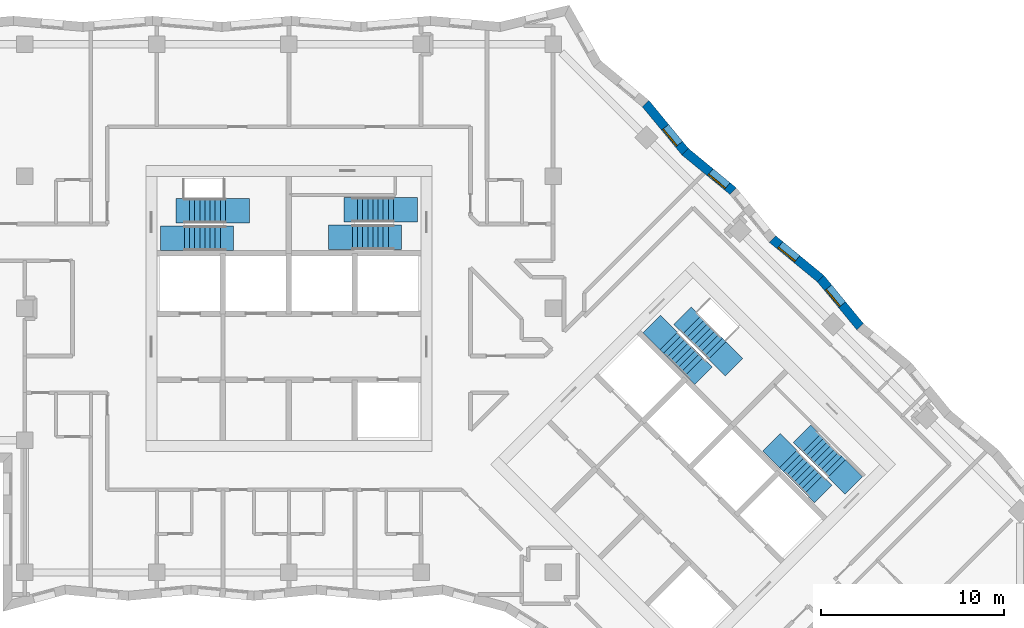
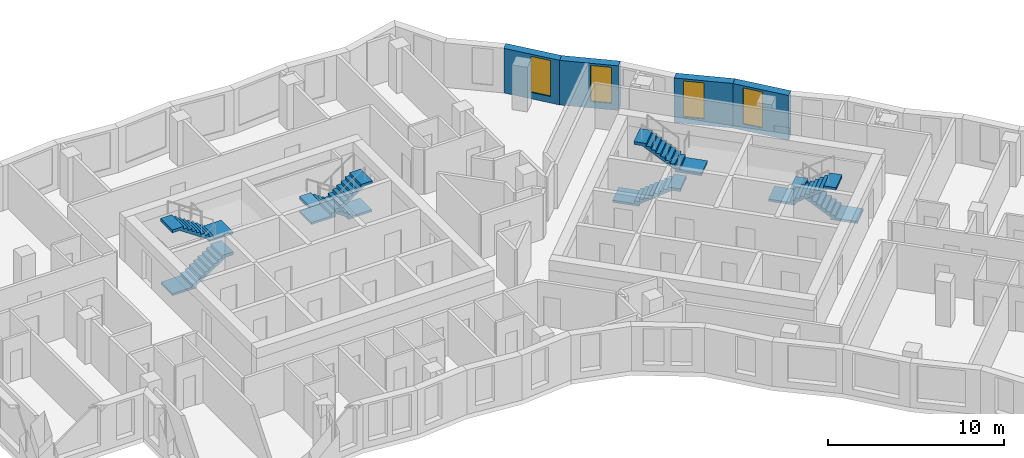
# One storey, part 10 of 12: 8 stair flights, 4 walls, 4 windows, 4 openings, 4 elements without a shape of their own.
"""IFC4 building model written with IfcOpenShell, lengths in metres."""

from ifc_helpers import new_model, si_unit, direction, frame, frame_2d, origin, place, context, subcontext, project, spatial, polyline, rectangle, outline, extrude, material, layer, layer_set, type_object, element, fill, aggregate, save


model = new_model("IFC4")

# Units and contexts
model_context = context("Model", 3, precision=1e-05, world=origin(), true_north=direction((0.0, 1.0)))
body_context = subcontext(model_context, "Body", "Model", "MODEL_VIEW")
ifc_project = project(units=[si_unit("LENGTHUNIT", "METRE"), si_unit("AREAUNIT", "SQUARE_METRE"), si_unit("VOLUMEUNIT", "CUBIC_METRE"), si_unit("PLANEANGLEUNIT", "RADIAN"), si_unit("MASSUNIT", "GRAM", prefix="KILO")], contexts=[model_context])

# Site, building, storey
site_placement = place(None, origin())
site = spatial("IfcSite", under=ifc_project, at=site_placement, CompositionType="ELEMENT")
building_placement = place(site_placement, origin())
building = spatial("IfcBuilding", under=site, at=building_placement, Name="Windrow Commons", CompositionType="ELEMENT")
storey_placement = place(building_placement, frame((0.0, 0.0, 138.8)))
storey = spatial("IfcBuildingStorey", under=building, at=storey_placement, Name="L37", CompositionType="ELEMENT", Elevation=138.8)

# Wall, opening, window
ifc_material_1 = material(Name="Brick masonry, red clay brick", Category="masonry")
ifc_layer = layer(ifc_material_1, 0.5)
ifc_layer_set = layer_set([ifc_layer], Name="Brick facade wall 500")
wall_type = type_object("IfcWallType", Name="Brick facade wall 500", PredefinedType="SOLIDWALL", material=ifc_layer_set)
wall_1_placement = place(storey_placement, frame((95.9452, 56.5967, 0.0), z_axis=(0.0, 0.0, 1.0), x_axis=(-0.6349054988, 0.7725898055, 0.0)))
wall_1 = element("IfcWall", 1, at=wall_1_placement, inside=storey, type_object=wall_type, Name="Brick facade wall L37 12", PredefinedType="SOLIDWALL", context=body_context, shape_type="SweptSolid", body=[
    extrude(outline(polyline([(0.0245, -0.25), (3.4141, -0.25), (3.3652, 0.25), (-0.0245, 0.25), (0.0245, -0.25)])), origin(), (0.0, 0.0, 1.0), 3.1),
])
opening_1_placement = place(wall_1_placement, frame((1.5515, 0.0, 0.45)))
opening_1 = element("IfcOpeningElement", 2, at=opening_1_placement, cuts=wall_1, Name="Opening W7E", PredefinedType="OPENING", context=body_context, shape_type="SweptSolid", body=[
    extrude(rectangle(XDim=1.2, YDim=2.5, at=frame_2d((0.6, 1.25))), frame((0.0, 0.26, 0.0), z_axis=(0.0, -1.0, 0.0), x_axis=(1.0, 0.0, 0.0)), (0.0, 0.0, 1.0), 0.52),
])
ifc_material_2 = material(Name="Clear float glass in anodised aluminium frame", Category="aluminium")
window_type = type_object("IfcWindowType", Name="Window W7 notch 1200x2500", PartitioningType="SINGLE_PANEL", PredefinedType="WINDOW", material=ifc_material_2)
window_1_placement = place(opening_1_placement, origin())
window_1 = element("IfcWindow", 3, at=window_1_placement, inside=storey, type_object=window_type, Name="Window L37 12.1", OverallHeight=2.5, OverallWidth=1.2, PartitioningType="SINGLE_PANEL", PredefinedType="WINDOW", context=body_context, shape_type="SweptSolid", body=[
    extrude(rectangle(XDim=1.2, YDim=2.5, at=frame_2d((0.6, 1.25))), frame((0.0, 0.18, 0.0), z_axis=(0.0, -1.0, 0.0), x_axis=(1.0, 0.0, 0.0)), (0.0, 0.0, 1.0), 0.06),
])
fill(opening_1, window_1)

wall_2_placement = place(storey_placement, frame((93.7931, 59.2155, 0.0), z_axis=(0.0, 0.0, 1.0), x_axis=(-0.7725898055, 0.6349054988, 0.0)))
wall_2 = element("IfcWall", 4, at=wall_2_placement, inside=storey, type_object=wall_type, Name="Brick facade wall L37 13", PredefinedType="SOLIDWALL", context=body_context, shape_type="SweptSolid", body=[
    extrude(outline(polyline([(-0.0245, -0.25), (3.3652, -0.25), (3.4141, 0.25), (0.0245, 0.25), (-0.0245, -0.25)])), origin(), (0.0, 0.0, 1.0), 3.1),
])
opening_2_placement = place(wall_2_placement, frame((1.6775, 0.0, 0.45)))
opening_2 = element("IfcOpeningElement", 5, at=opening_2_placement, cuts=wall_2, Name="Opening W7E", PredefinedType="OPENING", context=body_context, shape_type="SweptSolid", body=[
    extrude(rectangle(XDim=1.2, YDim=2.5, at=frame_2d((0.6, 1.25))), frame((0.0, 0.26, 0.0), z_axis=(0.0, -1.0, 0.0), x_axis=(1.0, 0.0, 0.0)), (0.0, 0.0, 1.0), 0.52),
])
window_2_placement = place(opening_2_placement, origin())
window_2 = element("IfcWindow", 6, at=window_2_placement, inside=storey, type_object=window_type, Name="Window L37 13.1", OverallHeight=2.5, OverallWidth=1.2, PartitioningType="SINGLE_PANEL", PredefinedType="WINDOW", context=body_context, shape_type="SweptSolid", body=[
    extrude(rectangle(XDim=1.2, YDim=2.5, at=frame_2d((0.6, 1.25))), frame((0.0, 0.18, 0.0), z_axis=(0.0, -1.0, 0.0), x_axis=(1.0, 0.0, 0.0)), (0.0, 0.0, 1.0), 0.06),
])
fill(opening_2, window_2)

wall_3_placement = place(storey_placement, frame((89.0222, 63.9863, 0.0), z_axis=(0.0, 0.0, 1.0), x_axis=(-0.7725898055, 0.6349054988, 0.0)))
wall_3 = element("IfcWall", 7, at=wall_3_placement, inside=storey, type_object=wall_type, Name="Brick facade wall L37 15", PredefinedType="SOLIDWALL", context=body_context, shape_type="SweptSolid", body=[
    extrude(outline(polyline([(-0.0245, -0.25), (3.3652, -0.25), (3.4141, 0.25), (0.0245, 0.25), (-0.0245, -0.25)])), origin(), (0.0, 0.0, 1.0), 3.1),
])
opening_3_placement = place(wall_3_placement, frame((0.4225, 0.0, 0.45)))
opening_3 = element("IfcOpeningElement", 8, at=opening_3_placement, cuts=wall_3, Name="Opening W7E", PredefinedType="OPENING", context=body_context, shape_type="SweptSolid", body=[
    extrude(rectangle(XDim=1.2, YDim=2.5, at=frame_2d((0.6, 1.25))), frame((0.0, 0.26, 0.0), z_axis=(0.0, -1.0, 0.0), x_axis=(1.0, 0.0, 0.0)), (0.0, 0.0, 1.0), 0.52),
])
window_3_placement = place(opening_3_placement, origin())
window_3 = element("IfcWindow", 9, at=window_3_placement, inside=storey, type_object=window_type, Name="Window L37 15.1", OverallHeight=2.5, OverallWidth=1.2, PartitioningType="SINGLE_PANEL", PredefinedType="WINDOW", context=body_context, shape_type="SweptSolid", body=[
    extrude(rectangle(XDim=1.2, YDim=2.5, at=frame_2d((0.6, 1.25))), frame((0.0, 0.18, 0.0), z_axis=(0.0, -1.0, 0.0), x_axis=(1.0, 0.0, 0.0)), (0.0, 0.0, 1.0), 0.06),
])
fill(opening_3, window_3)

wall_4_placement = place(storey_placement, frame((86.4034, 66.1384, 0.0), z_axis=(0.0, 0.0, 1.0), x_axis=(-0.6349054988, 0.7725898055, 0.0)))
wall_4 = element("IfcWall", 10, at=wall_4_placement, inside=storey, type_object=wall_type, Name="Brick facade wall L37 16", PredefinedType="SOLIDWALL", context=body_context, shape_type="SweptSolid", body=[
    extrude(outline(polyline([(0.0245, -0.25), (3.4141, -0.25), (3.3652, 0.25), (-0.0245, 0.25), (0.0245, -0.25)])), origin(), (0.0, 0.0, 1.0), 3.1),
])
opening_4_placement = place(wall_4_placement, frame((0.524, 0.0, 0.45)))
opening_4 = element("IfcOpeningElement", 11, at=opening_4_placement, cuts=wall_4, Name="Opening W7E", PredefinedType="OPENING", context=body_context, shape_type="SweptSolid", body=[
    extrude(rectangle(XDim=1.2, YDim=2.5, at=frame_2d((0.6, 1.25))), frame((0.0, 0.26, 0.0), z_axis=(0.0, -1.0, 0.0), x_axis=(1.0, 0.0, 0.0)), (0.0, 0.0, 1.0), 0.52),
])
window_4_placement = place(opening_4_placement, origin())
window_4 = element("IfcWindow", 12, at=window_4_placement, inside=storey, type_object=window_type, Name="Window L37 16.1", OverallHeight=2.5, OverallWidth=1.2, PartitioningType="SINGLE_PANEL", PredefinedType="WINDOW", context=body_context, shape_type="SweptSolid", body=[
    extrude(rectangle(XDim=1.2, YDim=2.5, at=frame_2d((0.6, 1.25))), frame((0.0, 0.18, 0.0), z_axis=(0.0, -1.0, 0.0), x_axis=(1.0, 0.0, 0.0)), (0.0, 0.0, 1.0), 0.06),
])
fill(opening_4, window_4)

# Stair, stair flights
ifc_material_3 = material(Name="Concrete C40/50", Category="concrete")
stair_type = type_object("IfcStairType", Name="Core stair", PredefinedType="HALF_TURN_STAIR", material=ifc_material_3)
placement = place(storey_placement, origin())
stair_1 = element("IfcStair", 13, at=placement, inside=storey, type_object=stair_type, Name="L37 Exit stair A1 core A", PredefinedType="HALF_TURN_STAIR")
ifc_material_4 = material(Name="Concrete C40/50", Category="concrete")
stair_flight_type = type_object("IfcStairFlightType", Name="Core stair flight", PredefinedType="STRAIGHT", material=ifc_material_4)
stair_flight_1_placement = place(storey_placement, frame((59.1, 61.425, 0.0), z_axis=(0.0, 0.0, 1.0), x_axis=(1.0, 0.0, 0.0)))
stair_flight_1 = element("IfcStairFlight", 14, at=stair_flight_1_placement, type_object=stair_flight_type, Name="ST-A1 flight 1", NumberOfRisers=9, NumberOfTreads=8, PredefinedType="STRAIGHT", RiserHeight=0.188888889, TreadLength=0.28, context=body_context, shape_type="SweptSolid", body=[
    extrude(outline(polyline([(-1.3, -0.15), (-1.3, 0.0), (0.0, 0.0), (0.0, 0.1889), (0.28, 0.1889), (0.28, 0.3778), (0.56, 0.3778), (0.56, 0.5667), (0.84, 0.5667), (0.84, 0.7556), (1.12, 0.7556), (1.12, 0.9444), (1.4, 0.9444), (1.4, 1.1333), (1.68, 1.1333), (1.68, 1.3222), (1.96, 1.3222), (1.96, 1.5111), (2.24, 1.5111), (2.69, 1.5111), (2.69, 1.3111), (2.24, 1.3111), (2.24, 1.3302), (0.2682, 0.0), (0.2682, -0.15), (-1.3, -0.15)])), frame((0.0, 0.675, 0.0), z_axis=(0.0, -1.0, 0.0), x_axis=(1.0, 0.0, 0.0)), (0.0, 0.0, 1.0), 1.35),
])
stair_flight_2_placement = place(storey_placement, frame((61.34, 62.925, 1.7), z_axis=(0.0, 0.0, 1.0), x_axis=(-1.0, 0.0, 0.0)))
stair_flight_2 = element("IfcStairFlight", 15, at=stair_flight_2_placement, type_object=stair_flight_type, Name="ST-A1 flight 2", NumberOfRisers=9, NumberOfTreads=8, PredefinedType="STRAIGHT", RiserHeight=0.188888889, TreadLength=0.28, context=body_context, shape_type="SweptSolid", body=[
    extrude(outline(polyline([(-1.3, -0.15), (-1.3, 0.0), (0.0, 0.0), (0.0, 0.1889), (0.28, 0.1889), (0.28, 0.3778), (0.56, 0.3778), (0.56, 0.5667), (0.84, 0.5667), (0.84, 0.7556), (1.12, 0.7556), (1.12, 0.9444), (1.4, 0.9444), (1.4, 1.1333), (1.68, 1.1333), (1.68, 1.3222), (1.96, 1.3222), (1.96, 1.5111), (2.24, 1.5111), (2.69, 1.5111), (2.69, 1.3111), (2.24, 1.3111), (2.24, 1.3302), (0.2682, 0.0), (0.2682, -0.15), (-1.3, -0.15)])), frame((0.0, 0.675, 0.0), z_axis=(0.0, -1.0, 0.0), x_axis=(1.0, 0.0, 0.0)), (0.0, 0.0, 1.0), 1.35),
])
aggregate(stair_1, [stair_flight_1, stair_flight_2])

stair_2 = element("IfcStair", 16, at=placement, inside=storey, type_object=stair_type, Name="L37 Exit stair A2 core A", PredefinedType="HALF_TURN_STAIR")
stair_flight_3_placement = place(storey_placement, frame((70.5, 62.98, 0.0), z_axis=(0.0, 0.0, 1.0), x_axis=(-1.0, 0.0, 0.0)))
stair_flight_3 = element("IfcStairFlight", 17, at=stair_flight_3_placement, type_object=stair_flight_type, Name="ST-A2 flight 1", NumberOfRisers=9, NumberOfTreads=8, PredefinedType="STRAIGHT", RiserHeight=0.188888889, TreadLength=0.28, context=body_context, shape_type="SweptSolid", body=[
    extrude(outline(polyline([(-1.3, -0.15), (-1.3, 0.0), (0.0, 0.0), (0.0, 0.1889), (0.28, 0.1889), (0.28, 0.3778), (0.56, 0.3778), (0.56, 0.5667), (0.84, 0.5667), (0.84, 0.7556), (1.12, 0.7556), (1.12, 0.9444), (1.4, 0.9444), (1.4, 1.1333), (1.68, 1.1333), (1.68, 1.3222), (1.96, 1.3222), (1.96, 1.5111), (2.24, 1.5111), (2.69, 1.5111), (2.69, 1.3111), (2.24, 1.3111), (2.24, 1.3302), (0.2682, 0.0), (0.2682, -0.15), (-1.3, -0.15)])), frame((0.0, 0.675, 0.0), z_axis=(0.0, -1.0, 0.0), x_axis=(1.0, 0.0, 0.0)), (0.0, 0.0, 1.0), 1.35),
])
stair_flight_4_placement = place(storey_placement, frame((68.26, 61.48, 1.7), z_axis=(0.0, 0.0, 1.0), x_axis=(1.0, 0.0, 0.0)))
stair_flight_4 = element("IfcStairFlight", 18, at=stair_flight_4_placement, type_object=stair_flight_type, Name="ST-A2 flight 2", NumberOfRisers=9, NumberOfTreads=8, PredefinedType="STRAIGHT", RiserHeight=0.188888889, TreadLength=0.28, context=body_context, shape_type="SweptSolid", body=[
    extrude(outline(polyline([(-1.3, -0.15), (-1.3, 0.0), (0.0, 0.0), (0.0, 0.1889), (0.28, 0.1889), (0.28, 0.3778), (0.56, 0.3778), (0.56, 0.5667), (0.84, 0.5667), (0.84, 0.7556), (1.12, 0.7556), (1.12, 0.9444), (1.4, 0.9444), (1.4, 1.1333), (1.68, 1.1333), (1.68, 1.3222), (1.96, 1.3222), (1.96, 1.5111), (2.24, 1.5111), (2.69, 1.5111), (2.69, 1.3111), (2.24, 1.3111), (2.24, 1.3302), (0.2682, 0.0), (0.2682, -0.15), (-1.3, -0.15)])), frame((0.0, 0.675, 0.0), z_axis=(0.0, -1.0, 0.0), x_axis=(1.0, 0.0, 0.0)), (0.0, 0.0, 1.0), 1.35),
])
aggregate(stair_2, [stair_flight_3, stair_flight_4])

stair_3 = element("IfcStair", 19, at=placement, inside=storey, type_object=stair_type, Name="L37 Exit stair B1 core B", PredefinedType="HALF_TURN_STAIR")
stair_flight_5_placement = place(storey_placement, frame((85.5109, 55.8249, 0.0), z_axis=(0.0, 0.0, 1.0), x_axis=(0.7071067812, -0.7071067812, 0.0)))
stair_flight_5 = element("IfcStairFlight", 20, at=stair_flight_5_placement, type_object=stair_flight_type, Name="ST-B1 flight 1", NumberOfRisers=9, NumberOfTreads=8, PredefinedType="STRAIGHT", RiserHeight=0.188888889, TreadLength=0.28, context=body_context, shape_type="SweptSolid", body=[
    extrude(outline(polyline([(-1.3, -0.15), (-1.3, 0.0), (0.0, 0.0), (0.0, 0.1889), (0.28, 0.1889), (0.28, 0.3778), (0.56, 0.3778), (0.56, 0.5667), (0.84, 0.5667), (0.84, 0.7556), (1.12, 0.7556), (1.12, 0.9444), (1.4, 0.9444), (1.4, 1.1333), (1.68, 1.1333), (1.68, 1.3222), (1.96, 1.3222), (1.96, 1.5111), (2.24, 1.5111), (2.69, 1.5111), (2.69, 1.3111), (2.24, 1.3111), (2.24, 1.3302), (0.2682, 0.0), (0.2682, -0.15), (-1.3, -0.15)])), frame((0.0, 0.675, 0.0), z_axis=(0.0, -1.0, 0.0), x_axis=(1.0, 0.0, 0.0)), (0.0, 0.0, 1.0), 1.35),
])
stair_flight_6_placement = place(storey_placement, frame((88.1555, 55.3017, 1.7), z_axis=(0.0, 0.0, 1.0), x_axis=(-0.7071067812, 0.7071067812, 0.0)))
stair_flight_6 = element("IfcStairFlight", 21, at=stair_flight_6_placement, type_object=stair_flight_type, Name="ST-B1 flight 2", NumberOfRisers=9, NumberOfTreads=8, PredefinedType="STRAIGHT", RiserHeight=0.188888889, TreadLength=0.28, context=body_context, shape_type="SweptSolid", body=[
    extrude(outline(polyline([(-1.3, -0.15), (-1.3, 0.0), (0.0, 0.0), (0.0, 0.1889), (0.28, 0.1889), (0.28, 0.3778), (0.56, 0.3778), (0.56, 0.5667), (0.84, 0.5667), (0.84, 0.7556), (1.12, 0.7556), (1.12, 0.9444), (1.4, 0.9444), (1.4, 1.1333), (1.68, 1.1333), (1.68, 1.3222), (1.96, 1.3222), (1.96, 1.5111), (2.24, 1.5111), (2.69, 1.5111), (2.69, 1.3111), (2.24, 1.3111), (2.24, 1.3302), (0.2682, 0.0), (0.2682, -0.15), (-1.3, -0.15)])), frame((0.0, 0.675, 0.0), z_axis=(0.0, -1.0, 0.0), x_axis=(1.0, 0.0, 0.0)), (0.0, 0.0, 1.0), 1.35),
])
aggregate(stair_3, [stair_flight_5, stair_flight_6])

stair_4 = element("IfcStair", 22, at=placement, inside=storey, type_object=stair_type, Name="L37 Exit stair B2 core B", PredefinedType="HALF_TURN_STAIR")
stair_flight_7_placement = place(storey_placement, frame((94.6715, 48.8635, 0.0), z_axis=(0.0, 0.0, 1.0), x_axis=(-0.7071067812, 0.7071067812, 0.0)))
stair_flight_7 = element("IfcStairFlight", 23, at=stair_flight_7_placement, type_object=stair_flight_type, Name="ST-B2 flight 1", NumberOfRisers=9, NumberOfTreads=8, PredefinedType="STRAIGHT", RiserHeight=0.188888889, TreadLength=0.28, context=body_context, shape_type="SweptSolid", body=[
    extrude(outline(polyline([(-1.3, -0.15), (-1.3, 0.0), (0.0, 0.0), (0.0, 0.1889), (0.28, 0.1889), (0.28, 0.3778), (0.56, 0.3778), (0.56, 0.5667), (0.84, 0.5667), (0.84, 0.7556), (1.12, 0.7556), (1.12, 0.9444), (1.4, 0.9444), (1.4, 1.1333), (1.68, 1.1333), (1.68, 1.3222), (1.96, 1.3222), (1.96, 1.5111), (2.24, 1.5111), (2.69, 1.5111), (2.69, 1.3111), (2.24, 1.3111), (2.24, 1.3302), (0.2682, 0.0), (0.2682, -0.15), (-1.3, -0.15)])), frame((0.0, 0.675, 0.0), z_axis=(0.0, -1.0, 0.0), x_axis=(1.0, 0.0, 0.0)), (0.0, 0.0, 1.0), 1.35),
])
stair_flight_8_placement = place(storey_placement, frame((92.0269, 49.3867, 1.7), z_axis=(0.0, 0.0, 1.0), x_axis=(0.7071067812, -0.7071067812, 0.0)))
stair_flight_8 = element("IfcStairFlight", 24, at=stair_flight_8_placement, type_object=stair_flight_type, Name="ST-B2 flight 2", NumberOfRisers=9, NumberOfTreads=8, PredefinedType="STRAIGHT", RiserHeight=0.188888889, TreadLength=0.28, context=body_context, shape_type="SweptSolid", body=[
    extrude(outline(polyline([(-1.3, -0.15), (-1.3, 0.0), (0.0, 0.0), (0.0, 0.1889), (0.28, 0.1889), (0.28, 0.3778), (0.56, 0.3778), (0.56, 0.5667), (0.84, 0.5667), (0.84, 0.7556), (1.12, 0.7556), (1.12, 0.9444), (1.4, 0.9444), (1.4, 1.1333), (1.68, 1.1333), (1.68, 1.3222), (1.96, 1.3222), (1.96, 1.5111), (2.24, 1.5111), (2.69, 1.5111), (2.69, 1.3111), (2.24, 1.3111), (2.24, 1.3302), (0.2682, 0.0), (0.2682, -0.15), (-1.3, -0.15)])), frame((0.0, 0.675, 0.0), z_axis=(0.0, -1.0, 0.0), x_axis=(1.0, 0.0, 0.0)), (0.0, 0.0, 1.0), 1.35),
])
aggregate(stair_4, [stair_flight_7, stair_flight_8])

save(model, "model.ifc")
